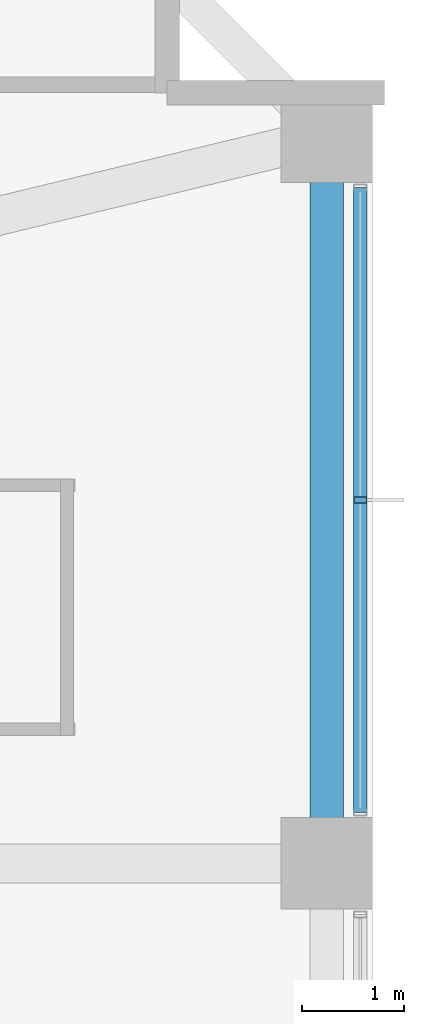
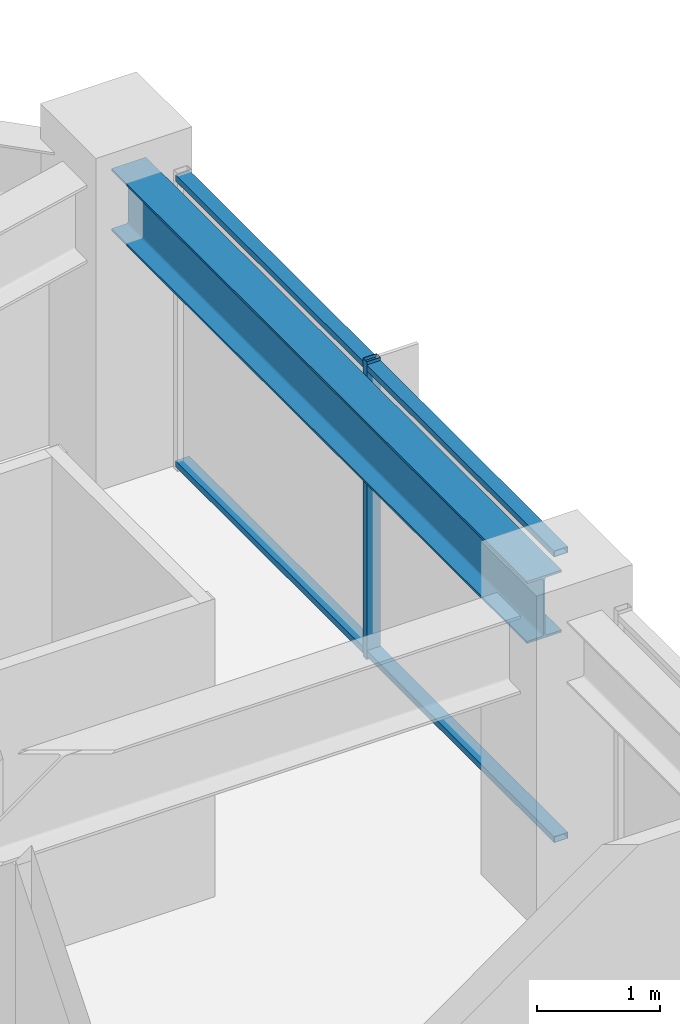
# One storey, part 15 of 31: 3 members, 1 beam, 1 element without a shape of its own.
"""IFC4 building model written with IfcOpenShell, lengths in metres."""

from ifc_helpers import new_model, si_unit, direction, frame, origin, origin_2d, place, context, subcontext, project, spatial, hollow_rectangle, i_section, extrude, material, material_profile, profile_set, type_object, element, aggregate, save


model = new_model("IFC4")

# Units and contexts
model_context = context("Model", 3, precision=1e-05, world=origin(), true_north=direction((0.0, 1.0)))
body_context = subcontext(model_context, "Body", "Model", "MODEL_VIEW")
ifc_project = project(units=[si_unit("LENGTHUNIT", "METRE"), si_unit("AREAUNIT", "SQUARE_METRE"), si_unit("VOLUMEUNIT", "CUBIC_METRE"), si_unit("PLANEANGLEUNIT", "RADIAN"), si_unit("MASSUNIT", "GRAM", prefix="KILO")], contexts=[model_context])

# Site, building, storey
site_placement = place(None, origin())
site = spatial("IfcSite", under=ifc_project, at=site_placement, CompositionType="ELEMENT")
building_placement = place(site_placement, origin())
building = spatial("IfcBuilding", under=site, at=building_placement, Name="Kolvaren Belvedere", CompositionType="ELEMENT")
storey_placement = place(building_placement, frame((0.0, 0.0, 144.800048828125)))
storey = spatial("IfcBuildingStorey", under=building, at=storey_placement, Name="L42", CompositionType="ELEMENT", Elevation=144.800048828125)

# Beam
ifc_material_1 = material(Name="Structural steel ASTM A992 Grade 50", Category="steel")
ifc_material_profile_1 = material_profile(ifc_material_1, i_section(OverallWidth=0.324951171875, OverallDepth=0.615966796875, WebThickness=0.013916015625, FlangeThickness=0.021484375, FilletRadius=0.02001953125, at=origin_2d()), Name="W24X117")
ifc_profile_set_1 = profile_set([ifc_material_profile_1], Name="Structural steel ASTM A992 Grade 50")
beam_type = type_object("IfcBeamType", Name="BM-SPAN-W24X117", PredefinedType="SPANDREL", material=ifc_profile_set_1)
beam_placement = place(storey_placement, frame((17.550048828125, 4.802490234375, 2.641845703125), z_axis=(0.0, 1.0, 0.0), x_axis=(-1.0, 0.0, 0.0)))
element("IfcBeam", 1, at=beam_placement, inside=storey, type_object=beam_type, Name="L42 Perimeter Spandrel E3-E4", PredefinedType="SPANDREL", context=body_context, shape_type="SweptSolid", body=[
    extrude(i_section(OverallWidth=0.324951171875, OverallDepth=0.615966796875, WebThickness=0.013916015625, FlangeThickness=0.021484375, FilletRadius=0.02001953125, at=origin_2d()), origin(), (0.0, 0.0, 1.0), 6.7451171875),
])

# Curtain wall, members
ifc_material_2 = material(Name="Anodised pale-metal aluminium AA 6063-T6", Category="aluminium")
curtain_wall_type = type_object("IfcCurtainWallType", Name="CW-Z3-WAIST", PredefinedType="NOTDEFINED", material=ifc_material_2)
curtain_wall_placement = place(storey_placement, origin())
curtain_wall = element("IfcCurtainWall", 2, at=curtain_wall_placement, inside=storey, type_object=curtain_wall_type, Name="L42 Unitised Curtain Wall FCW-L42-E-B1", PredefinedType="NOTDEFINED")
ifc_material_3 = material(Name="Anodised pale-metal aluminium AA 6063-T6", Category="aluminium")
ifc_material_profile_2 = material_profile(ifc_material_3, hollow_rectangle(XDim=0.06494140625, YDim=0.1298828125, WallThickness=0.00390625, at=origin_2d()), Name="ALU-MUL-130X65")
ifc_profile_set_2 = profile_set([ifc_material_profile_2], Name="Anodised pale-metal aluminium AA 6063-T6")
member_type_1 = type_object("IfcMemberType", Name="CW-MUL-130", PredefinedType="MULLION", material=ifc_profile_set_2)
member_1_placement = place(storey_placement, frame((17.8798828125, 8.175048828125, 0.0), z_axis=(0.0, 0.0, 1.0), x_axis=(0.0, 1.0, 0.0)))
member_1 = element("IfcMember", 3, at=member_1_placement, type_object=member_type_1, Name="FCW-L42-E-B1 Unitised Mullion 2", PredefinedType="MULLION", context=body_context, shape_type="SweptSolid", body=[
    extrude(hollow_rectangle(XDim=0.06494140625, YDim=0.1298828125, WallThickness=0.00390625, at=origin_2d()), origin(), (0.0, 0.0, 1.0), 2.949951171875),
])
ifc_material_4 = material(Name="Anodised pale-metal aluminium AA 6063-T6", Category="aluminium")
ifc_material_profile_3 = material_profile(ifc_material_4, hollow_rectangle(XDim=0.06005859375, YDim=0.1298828125, WallThickness=0.00390625, at=origin_2d()), Name="ALU-TRN-130X60")
ifc_profile_set_3 = profile_set([ifc_material_profile_3], Name="Anodised pale-metal aluminium AA 6063-T6")
member_type_2 = type_object("IfcMemberType", Name="CW-TRN-130", PredefinedType="USERDEFINED", material=ifc_profile_set_3)
member_2_placement = place(storey_placement, frame((17.8798828125, 11.24755859375, 0.06005859375), z_axis=(0.0, -1.0, 0.0), x_axis=(0.0, 0.0, 1.0)))
member_2 = element("IfcMember", 4, at=member_2_placement, type_object=member_type_2, Name="FCW-L42-E-B1 Sill Transom", ObjectType="TRANSOM", PredefinedType="USERDEFINED", context=body_context, shape_type="SweptSolid", body=[
    extrude(hollow_rectangle(XDim=0.06005859375, YDim=0.1298828125, WallThickness=0.00390625, at=origin_2d()), origin(), (0.0, 0.0, 1.0), 6.14501953125),
])
member_3_placement = place(storey_placement, frame((17.8798828125, 11.24755859375, 2.889892578125), z_axis=(0.0, -1.0, 0.0), x_axis=(0.0, 0.0, 1.0)))
member_3 = element("IfcMember", 5, at=member_3_placement, type_object=member_type_2, Name="FCW-L42-E-B1 Head Transom", ObjectType="TRANSOM", PredefinedType="USERDEFINED", context=body_context, shape_type="SweptSolid", body=[
    extrude(hollow_rectangle(XDim=0.06005859375, YDim=0.1298828125, WallThickness=0.00390625, at=origin_2d()), origin(), (0.0, 0.0, 1.0), 6.14501953125),
])
aggregate(curtain_wall, [member_1, member_2, member_3])

save(model, "model.ifc")
